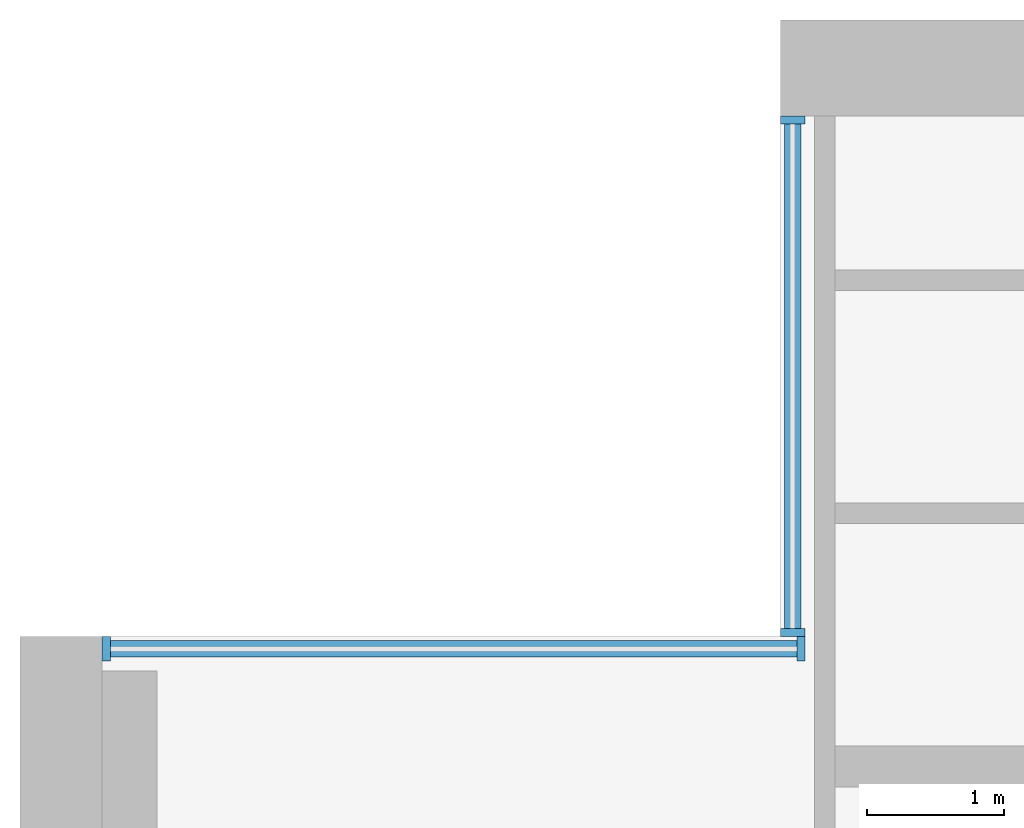
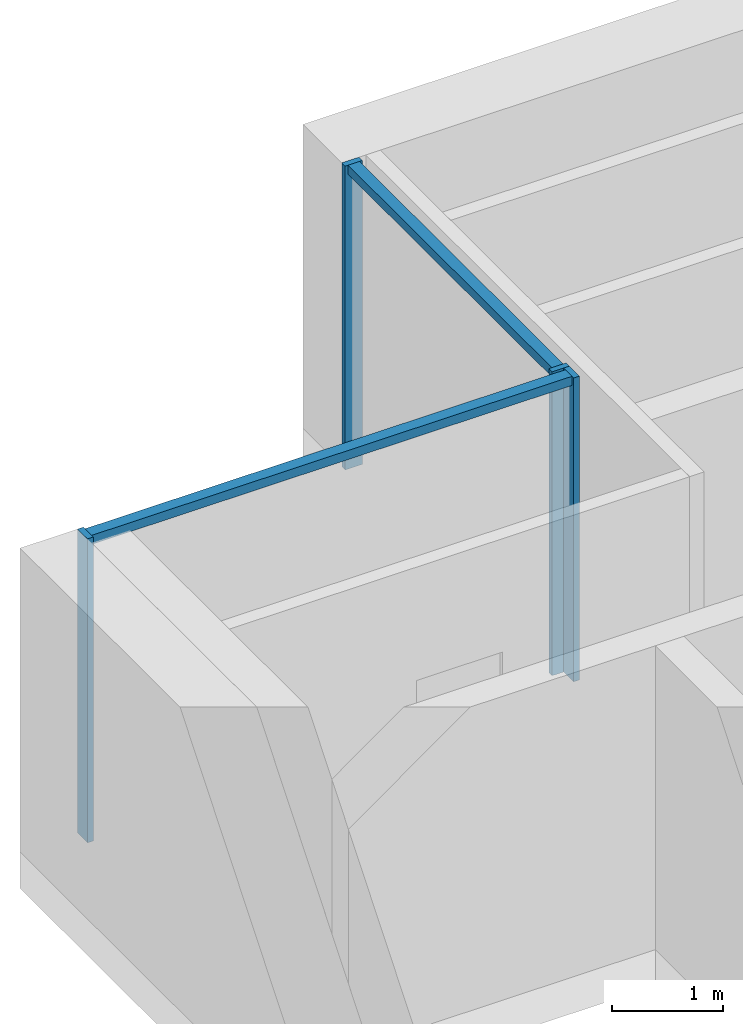
# One storey, part 4 of 17: 6 members, 2 elements without a shape of their own.
"""IFC4 building model written with IfcOpenShell, lengths in metres."""

from ifc_helpers import new_model, si_unit, direction, frame, origin, origin_2d, place, context, subcontext, project, spatial, rectangle, extrude, material, material_profile, profile_set, type_object, element, aggregate, save


model = new_model("IFC4")

# Units and contexts
model_context = context("Model", 3, precision=1e-05, world=origin(), true_north=direction((0.0, 1.0)))
body_context = subcontext(model_context, "Body", "Model", "MODEL_VIEW")
ifc_project = project(units=[si_unit("LENGTHUNIT", "METRE"), si_unit("AREAUNIT", "SQUARE_METRE"), si_unit("VOLUMEUNIT", "CUBIC_METRE"), si_unit("PLANEANGLEUNIT", "RADIAN"), si_unit("MASSUNIT", "GRAM", prefix="KILO")], contexts=[model_context])

# Site, building, storey
site_placement = place(None, origin())
site = spatial("IfcSite", under=ifc_project, at=site_placement, CompositionType="ELEMENT")
building_placement = place(site_placement, origin())
building = spatial("IfcBuilding", under=site, at=building_placement, Name="Calvaro Tower", CompositionType="ELEMENT")
storey_placement = place(building_placement, frame((0.0, 0.0, 208.0)))
storey = spatial("IfcBuildingStorey", under=building, at=storey_placement, Name="L52", CompositionType="ELEMENT", Elevation=208.0)

# Curtain wall, members
ifc_material_1 = material(Name="Anodised aluminium", Category="aluminium")
curtain_wall_type = type_object("IfcCurtainWallType", Name="Office curtain wall, upper zone", PredefinedType="NOTDEFINED", material=ifc_material_1)
curtain_wall_1_placement = place(storey_placement, origin())
curtain_wall_1 = element("IfcCurtainWall", 1, at=curtain_wall_1_placement, inside=storey, type_object=curtain_wall_type, Name="CW3 corner curtain wall", PredefinedType="NOTDEFINED")
ifc_material_2 = material(Name="Anodised aluminium", Category="aluminium")
ifc_material_profile_1 = material_profile(ifc_material_2, rectangle(XDim=0.179931640625, YDim=0.06005859375, at=origin_2d()), Name="Mullion S3 60 x 180")
ifc_profile_set_1 = profile_set([ifc_material_profile_1], Name="Anodised aluminium")
member_type_1 = type_object("IfcMemberType", Name="Mullion S3 60 x 180", PredefinedType="MULLION", material=ifc_profile_set_1)
member_1_placement = place(storey_placement, frame((11.639892578125, 41.530029296875, 0.0), z_axis=(0.0, 0.0, 1.0), x_axis=(-1.0, 0.0, 0.0)))
member_1 = element("IfcMember", 2, at=member_1_placement, type_object=member_type_1, Name="CW3 mullion 1", PredefinedType="MULLION", context=body_context, shape_type="SweptSolid", body=[
    extrude(rectangle(XDim=0.179931640625, YDim=0.06005859375, at=origin_2d()), origin(), (0.0, 0.0, 1.0), 3.35009765625),
])
member_2_placement = place(storey_placement, frame((11.639892578125, 45.27001953125, 0.0), z_axis=(0.0, 0.0, 1.0), x_axis=(-1.0, 0.0, 0.0)))
member_2 = element("IfcMember", 3, at=member_2_placement, type_object=member_type_1, Name="CW3 mullion 2", PredefinedType="MULLION", context=body_context, shape_type="SweptSolid", body=[
    extrude(rectangle(XDim=0.179931640625, YDim=0.06005859375, at=origin_2d()), origin(), (0.0, 0.0, 1.0), 3.35009765625),
])

curtain_wall_2_placement = place(storey_placement, origin())
curtain_wall_2 = element("IfcCurtainWall", 4, at=curtain_wall_2_placement, inside=storey, type_object=curtain_wall_type, Name="CW3 corner curtain wall", PredefinedType="NOTDEFINED")
member_3_placement = place(storey_placement, frame((6.6298828125, 41.409912109375, 0.0), z_axis=(0.0, 0.0, 1.0), x_axis=(0.0, 1.0, 0.0)))
member_3 = element("IfcMember", 5, at=member_3_placement, type_object=member_type_1, Name="CW3 mullion 1", PredefinedType="MULLION", context=body_context, shape_type="SweptSolid", body=[
    extrude(rectangle(XDim=0.179931640625, YDim=0.06005859375, at=origin_2d()), origin(), (0.0, 0.0, 1.0), 3.35009765625),
])
member_4_placement = place(storey_placement, frame((11.699951171875, 41.409912109375, 0.0), z_axis=(0.0, 0.0, 1.0), x_axis=(0.0, 1.0, 0.0)))
member_4 = element("IfcMember", 6, at=member_4_placement, type_object=member_type_1, Name="CW3 mullion 2", PredefinedType="MULLION", context=body_context, shape_type="SweptSolid", body=[
    extrude(rectangle(XDim=0.179931640625, YDim=0.06005859375, at=origin_2d()), origin(), (0.0, 0.0, 1.0), 3.35009765625),
])

# Member
ifc_material_3 = material(Name="Anodised aluminium", Category="aluminium")
ifc_material_profile_2 = material_profile(ifc_material_3, rectangle(XDim=0.1201171875, YDim=0.10009765625, at=origin_2d()), Name="Transom S3 100 x 120")
ifc_profile_set_2 = profile_set([ifc_material_profile_2], Name="Anodised aluminium")
member_type_2 = type_object("IfcMemberType", Name="Transom S3 100 x 120", PredefinedType="USERDEFINED", material=ifc_profile_set_2)
member_5_placement = place(storey_placement, frame((11.639892578125, 41.56005859375, 3.300048828125), z_axis=(0.0, 1.0, 0.0), x_axis=(-1.0, 0.0, 0.0)))
member_5 = element("IfcMember", 7, at=member_5_placement, type_object=member_type_2, Name="CW3 transom 1.1", ObjectType="TRANSOM", PredefinedType="USERDEFINED", context=body_context, shape_type="SweptSolid", body=[
    extrude(rectangle(XDim=0.1201171875, YDim=0.10009765625, at=origin_2d()), origin(), (0.0, 0.0, 1.0), 3.679931640625),
])

aggregate(curtain_wall_1, [member_1, member_2, member_5])

member_6_placement = place(storey_placement, frame((6.659912109375, 41.409912109375, 3.300048828125), z_axis=(1.0, 0.0, 0.0), x_axis=(0.0, 1.0, 0.0)))
member_6 = element("IfcMember", 8, at=member_6_placement, type_object=member_type_2, Name="CW3 transom 1.1", ObjectType="TRANSOM", PredefinedType="USERDEFINED", context=body_context, shape_type="SweptSolid", body=[
    extrude(rectangle(XDim=0.1201171875, YDim=0.10009765625, at=origin_2d()), origin(), (0.0, 0.0, 1.0), 5.010009765625),
])

aggregate(curtain_wall_2, [member_3, member_4, member_6])

save(model, "model.ifc")
